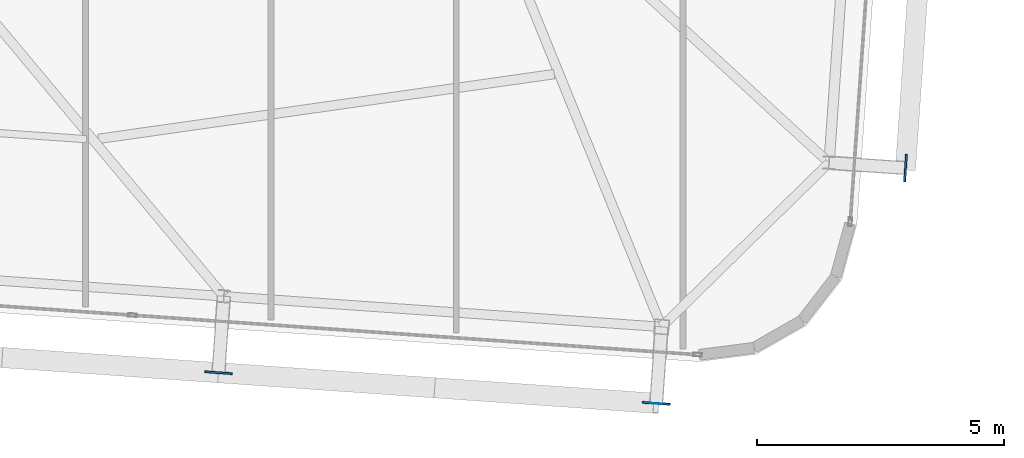
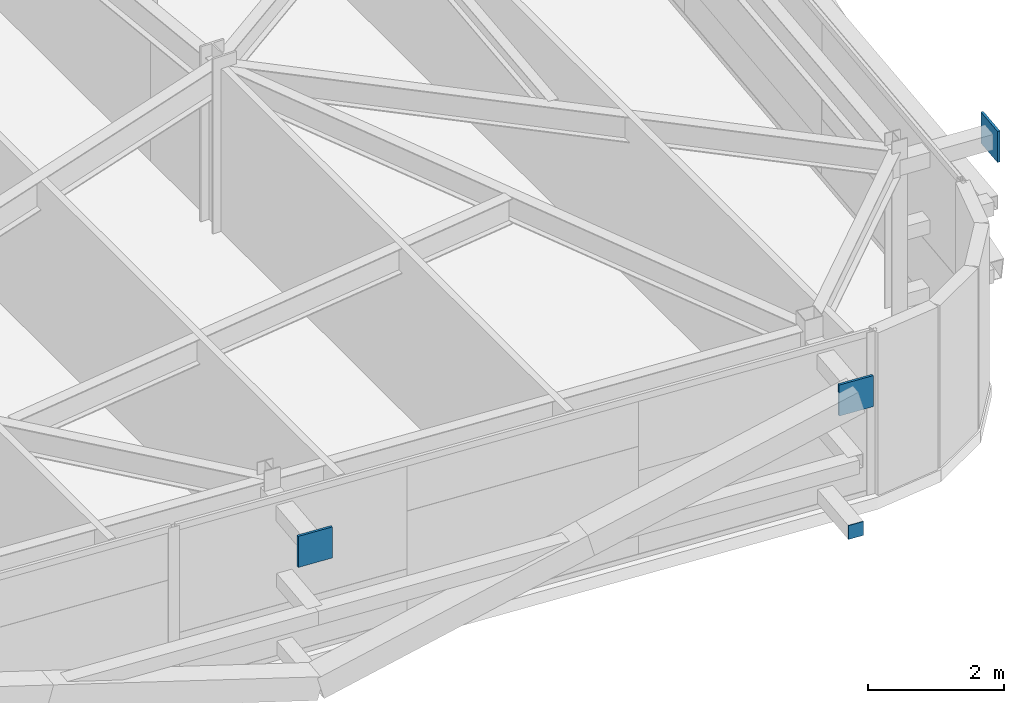
# One storey, part 30 of 39: 4 plates.
"""IFC4 building model written with IfcOpenShell, lengths in metres."""

from ifc_helpers import new_model, si_unit, direction, frame, origin, origin_2d, place, context, subcontext, project, spatial, rectangle, extrude, source, transform, mapped, material, layer, layer_set, type_object, element, save


model = new_model("IFC4")

# Units and contexts
model_context = context("Model", 3, precision=1e-05, world=origin(), true_north=direction((0.0, 1.0)))
body_context = subcontext(model_context, "Body", "Model", "MODEL_VIEW")
ifc_project = project(units=[si_unit("LENGTHUNIT", "METRE"), si_unit("AREAUNIT", "SQUARE_METRE"), si_unit("VOLUMEUNIT", "CUBIC_METRE"), si_unit("PLANEANGLEUNIT", "RADIAN"), si_unit("MASSUNIT", "GRAM", prefix="KILO")], contexts=[model_context])

# Site, building, storey
site_placement = place(None, origin())
site = spatial("IfcSite", under=ifc_project, at=site_placement, CompositionType="ELEMENT")
building_placement = place(site_placement, origin())
building = spatial("IfcBuilding", under=site, at=building_placement, Name="Taldren Reach Tower", CompositionType="ELEMENT")
storey_placement = place(building_placement, frame((0.0, 0.0, 133.0)))
storey = spatial("IfcBuildingStorey", under=building, at=storey_placement, Name="L40", CompositionType="ELEMENT", Elevation=133.0)

# Plates
ifc_material_1 = material(Name="Steel Gr 450 (C450L0)", Category="steel")
ifc_layer_1 = layer(ifc_material_1, 0.0400390625)
ifc_layer_set_1 = layer_set([ifc_layer_1], Name="Steel Gr 450 (C450L0)")
plate_type_1 = type_object("IfcPlateType", Name="PL-GUSSET-40", PredefinedType="SHEET", material=ifc_layer_set_1)
shared_shape_1 = source(origin(), body_context, "Body", "SweptSolid", [
    extrude(rectangle(XDim=0.56005859375, YDim=0.0400390625, at=origin_2d()), origin(), (0.0, 0.0, 1.0), 0.56005859375),
])
for number, where, z_axis, x_axis, name in (
    (1, (47.18896484375, 1.314453125, 2.369873046875), (0.0, 0.0, 1.0), (0.99756405026, -0.069756473744, 0.0), "Exoskeleton star-node gusset plate B3-S5 L40"),
    (2, (56.04736328125, 0.695068359375, 2.369873046875), (0.0, 0.0, 1.0), (0.99756405026, -0.069756473744, 0.0), "Exoskeleton star-node gusset plate B3-S6 L40"),
    (3, (61.091552734375, 5.454833984375, 2.369873046875), (0.0, 0.0, 1.0), (0.069756473744, 0.99756405026, 0.0), "Exoskeleton star-node gusset plate B3-E1 L40"),
):
    element("IfcPlate", number, at=place(storey_placement, frame(where, z_axis=z_axis, x_axis=x_axis)), inside=storey, type_object=plate_type_1, Name=name, PredefinedType="SHEET", context=body_context, shape_type="MappedRepresentation", body=[
        mapped(shared_shape_1, transform((0.0, 0.0, 0.0), scale=1.0)),
    ])
ifc_material_2 = material(Name="Steel Gr 350 (C350L0)", Category="steel")
ifc_layer_2 = layer(ifc_material_2, 0.011962890625)
ifc_layer_set_2 = layer_set([ifc_layer_2], Name="Steel Gr 350 (C350L0)")
plate_type_2 = type_object("IfcPlateType", Name="PL-CAP-250", PredefinedType="SHEET", material=ifc_layer_set_2)
shared_shape_2 = source(origin(), body_context, "Body", "SweptSolid", [
    extrude(rectangle(XDim=0.25, YDim=0.011962890625, at=origin_2d()), origin(), (0.0, 0.0, 1.0), 0.25),
])
plate_placement = place(storey_placement, frame((56.046875, 0.68896484375, 0.094970703125), z_axis=(0.0, 0.0, 1.0), x_axis=(0.99756405026, -0.069756473744, 0.0)))
element("IfcPlate", 4, at=plate_placement, inside=storey, type_object=plate_type_2, Name="Tie strut end cap plate B3-S6 L40", PredefinedType="SHEET", context=body_context, shape_type="MappedRepresentation", body=[
    mapped(shared_shape_2, transform((0.0, 0.0, 0.0), scale=1.0)),
])

save(model, "model.ifc")
